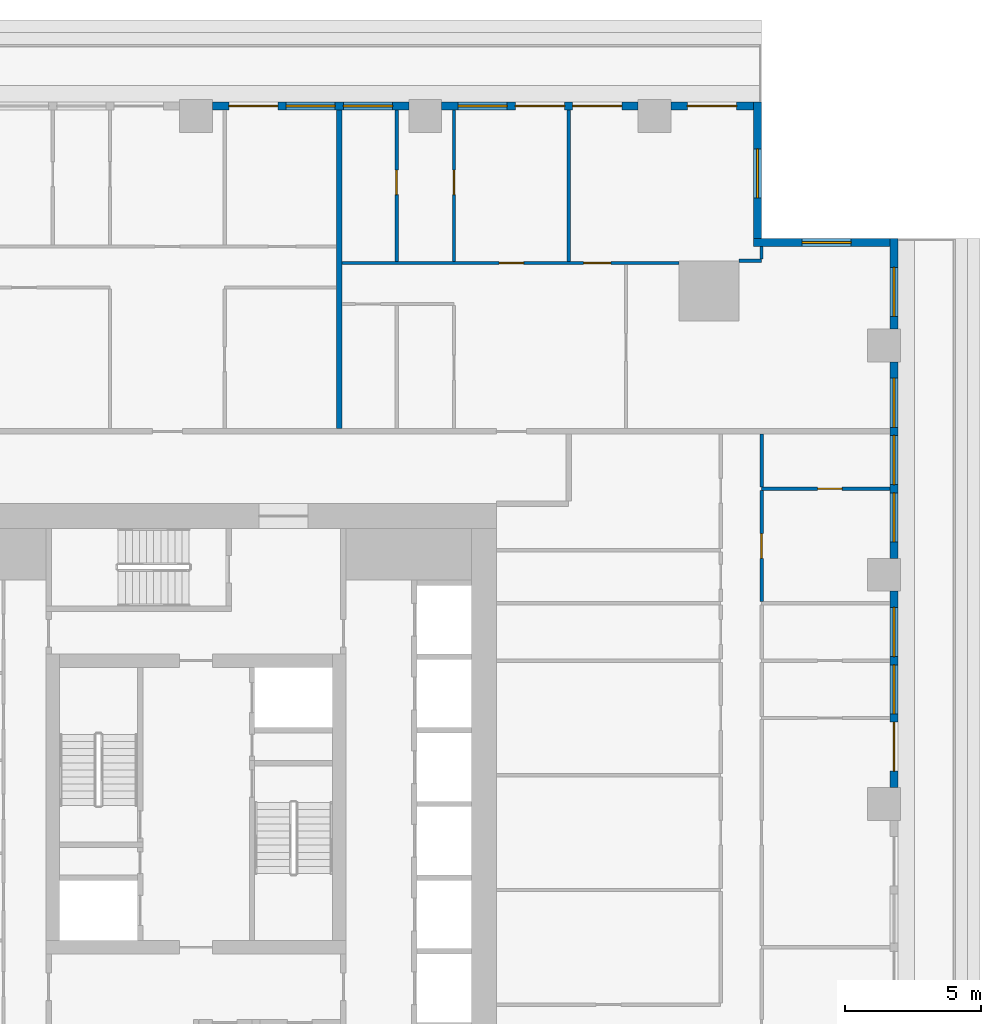
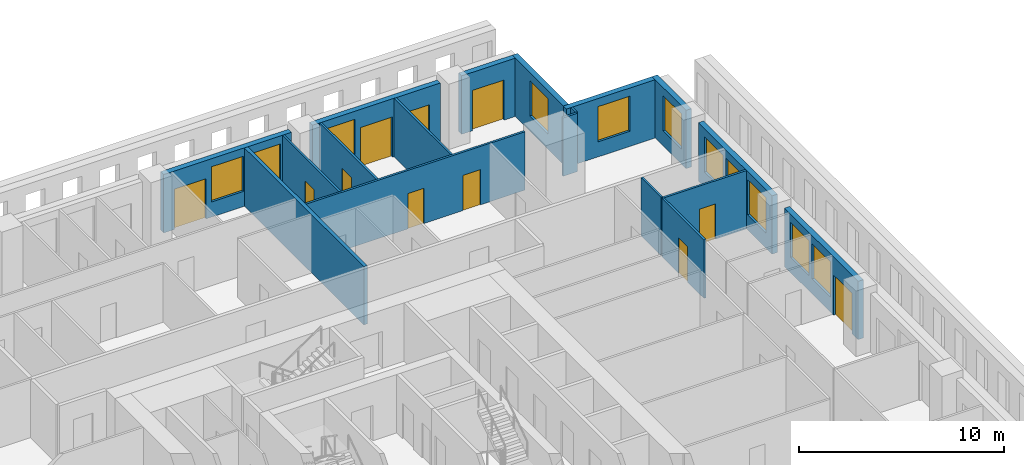
# One storey, part 9 of 15: 18 walls, 11 doors, 11 windows, 22 openings.
"""IFC4 building model written with IfcOpenShell, lengths in metres."""

from ifc_helpers import new_model, si_unit, direction, frame, frame_2d, origin, place, context, subcontext, project, spatial, rectangle, extrude, material, layer, layer_set, type_object, element, fill, save


model = new_model("IFC4")

# Units and contexts
model_context = context("Model", 3, precision=1e-05, world=origin(), true_north=direction((0.0, 1.0)))
body_context = subcontext(model_context, "Body", "Model", "MODEL_VIEW")
ifc_project = project(units=[si_unit("LENGTHUNIT", "METRE"), si_unit("AREAUNIT", "SQUARE_METRE"), si_unit("VOLUMEUNIT", "CUBIC_METRE"), si_unit("PLANEANGLEUNIT", "RADIAN"), si_unit("MASSUNIT", "GRAM", prefix="KILO")], contexts=[model_context])

# Site, building, storey
site_placement = place(None, origin())
site = spatial("IfcSite", under=ifc_project, at=site_placement, CompositionType="ELEMENT")
building_placement = place(site_placement, origin())
building = spatial("IfcBuilding", under=site, at=building_placement, Name="Khepri Terraces", CompositionType="ELEMENT")
storey_placement = place(building_placement, frame((0.0, 0.0, 248.39990234375)))
storey = spatial("IfcBuildingStorey", under=building, at=storey_placement, Name="L59", CompositionType="ELEMENT", Elevation=248.39990234375)

# Wall
ifc_material_1 = material(Name="Fire-rated gypsum plasterboard partition, mineral wool")
ifc_layer_1 = layer(ifc_material_1, 0.199951171875, Name="Fire-rated gypsum plasterboard partition, mineral wool")
ifc_layer_set_1 = layer_set([ifc_layer_1], Name="Fire-rated gypsum plasterboard partition, mineral wool")
wall_type_1 = type_object("IfcWallType", Name="WL-CORR-200", PredefinedType="PARTITIONING", material=ifc_layer_set_1)
wall_1_placement = place(storey_placement, frame((5.25, 13.75, 0.0), z_axis=(0.0, 0.0, 1.0), x_axis=(0.0, 1.0, 0.0)))
element("IfcWall", 1, at=wall_1_placement, inside=storey, type_object=wall_type_1, Name="Partition P-089 L59", PredefinedType="PARTITIONING", context=body_context, shape_type="SweptSolid", body=[
    extrude(rectangle(XDim=11.669921875, YDim=0.199951171875, at=frame_2d((5.8349609375, 0.0))), origin(), (0.0, 0.0, 1.0), 3.47998046875),
])

# Wall, openings, door, windows
ifc_material_2 = material(Name="Precast concrete C50/60 warm stone", Category="masonry")
ifc_layer_2 = layer(ifc_material_2, 0.300048828125, Name="Precast concrete C50/60 warm stone", Category="masonry")
ifc_layer_set_2 = layer_set([ifc_layer_2], Name="Precast concrete C50/60 warm stone")
wall_type_2 = type_object("IfcWallType", Name="WL-EXT-PRECAST-300", PredefinedType="STANDARD", material=ifc_layer_set_2)
wall_2_placement = place(storey_placement, frame((25.570068359375, 0.60009765625, 0.0), z_axis=(0.0, 0.0, 1.0), x_axis=(0.0, 1.0, 0.0)))
wall_2 = element("IfcWall", 2, at=wall_2_placement, inside=storey, type_object=wall_type_2, Name="External wall L59 E", PredefinedType="STANDARD", context=body_context, shape_type="SweptSolid", body=[
    extrude(rectangle(XDim=7.199951171875, YDim=0.300048828125, at=frame_2d((3.60009765625, 0.0))), origin(), (0.0, 0.0, 1.0), 3.47998046875),
])
opening_1_placement = place(wall_2_placement, frame((0.60009765625, 0.0, 0.0)))
opening_1 = element("IfcOpeningElement", 3, at=opening_1_placement, cuts=wall_2, Name="Opening ED-L59-06", PredefinedType="OPENING", context=body_context, shape_type="SweptSolid", body=[
    extrude(rectangle(XDim=1.800048828125, YDim=2.39990234375, at=frame_2d((0.89990234375, 1.199951171875))), frame((0.0, 0.16015625, 0.0), z_axis=(0.0, -1.0, 0.0), x_axis=(1.0, 0.0, 0.0)), (0.0, 0.0, 1.0), 0.320068359375),
])
opening_2_placement = place(wall_2_placement, frame((2.699951171875, 0.0, 0.89990234375)))
opening_2 = element("IfcOpeningElement", 4, at=opening_2_placement, cuts=wall_2, Name="Opening W1", PredefinedType="OPENING", context=body_context, shape_type="SweptSolid", body=[
    extrude(rectangle(XDim=1.800048828125, YDim=2.10009765625, at=frame_2d((0.89990234375, 1.050048828125))), frame((0.0, 0.16015625, 0.0), z_axis=(0.0, -1.0, 0.0), x_axis=(1.0, 0.0, 0.0)), (0.0, 0.0, 1.0), 0.320068359375),
])
opening_3_placement = place(wall_2_placement, frame((4.800048828125, 0.0, 0.89990234375)))
opening_3 = element("IfcOpeningElement", 5, at=opening_3_placement, cuts=wall_2, Name="Opening W1", PredefinedType="OPENING", context=body_context, shape_type="SweptSolid", body=[
    extrude(rectangle(XDim=1.800048828125, YDim=2.10009765625, at=frame_2d((0.89990234375, 1.050048828125))), frame((0.0, 0.16015625, 0.0), z_axis=(0.0, -1.0, 0.0), x_axis=(1.0, 0.0, 0.0)), (0.0, 0.0, 1.0), 0.320068359375),
])
ifc_material_3 = material(Name="Anodised aluminium bronze glazed door", Category="aluminium")
door_type_1 = type_object("IfcDoorType", Name="DR-BAL-SLIDE-1800x2400", OperationType="NOTDEFINED", PredefinedType="DOOR", material=ifc_material_3)
door_1_placement = place(opening_1_placement, origin())
door_1 = element("IfcDoor", 6, at=door_1_placement, inside=storey, type_object=door_type_1, Name="Balcony door L59 E", OperationType="SLIDING_TO_LEFT", OverallHeight=2.39990234375, OverallWidth=1.800048828125, PredefinedType="DOOR", context=body_context, shape_type="SweptSolid", body=[
    extrude(rectangle(XDim=1.800048828125, YDim=2.39990234375, at=frame_2d((0.89990234375, 1.199951171875))), frame((0.0, 0.02490234375, 0.0), z_axis=(0.0, -1.0, 0.0), x_axis=(1.0, 0.0, 0.0)), (0.0, 0.0, 1.0), 0.050048828125),
])
fill(opening_1, door_1)
ifc_material_4 = material(Name="Clear glass", Category="glass")
window_type = type_object("IfcWindowType", Name="WIN-RES-1800x2100", PartitioningType="SINGLE_PANEL", PredefinedType="WINDOW", material=ifc_material_4)
window_1_placement = place(opening_2_placement, origin())
window_1 = element("IfcWindow", 7, at=window_1_placement, inside=storey, type_object=window_type, Name="Window L59 E", OverallHeight=2.10009765625, OverallWidth=1.800048828125, PartitioningType="SINGLE_PANEL", PredefinedType="WINDOW", context=body_context, shape_type="SweptSolid", body=[
    extrude(rectangle(XDim=1.800048828125, YDim=2.10009765625, at=frame_2d((0.89990234375, 1.050048828125))), frame((0.0, 0.030029296875, 0.0), z_axis=(0.0, -1.0, 0.0), x_axis=(1.0, 0.0, 0.0)), (0.0, 0.0, 1.0), 0.06005859375),
])
fill(opening_2, window_1)
window_2_placement = place(opening_3_placement, origin())
window_2 = element("IfcWindow", 8, at=window_2_placement, inside=storey, type_object=window_type, Name="Window L59 E", OverallHeight=2.10009765625, OverallWidth=1.800048828125, PartitioningType="SINGLE_PANEL", PredefinedType="WINDOW", context=body_context, shape_type="SweptSolid", body=[
    extrude(rectangle(XDim=1.800048828125, YDim=2.10009765625, at=frame_2d((0.89990234375, 1.050048828125))), frame((0.0, 0.030029296875, 0.0), z_axis=(0.0, -1.0, 0.0), x_axis=(1.0, 0.0, 0.0)), (0.0, 0.0, 1.0), 0.06005859375),
])
fill(opening_3, window_2)

# Wall, openings, windows
wall_3_placement = place(storey_placement, frame((25.570068359375, 9.0, 0.0), z_axis=(0.0, 0.0, 1.0), x_axis=(0.0, 1.0, 0.0)))
wall_3 = element("IfcWall", 9, at=wall_3_placement, inside=storey, type_object=wall_type_2, Name="External wall L59 E", PredefinedType="STANDARD", context=body_context, shape_type="SweptSolid", body=[
    extrude(rectangle(XDim=7.199951171875, YDim=0.300048828125, at=frame_2d((3.60009765625, 0.0))), origin(), (0.0, 0.0, 1.0), 3.47998046875),
])
opening_4_placement = place(wall_3_placement, frame((0.60009765625, 0.0, 0.89990234375)))
opening_4 = element("IfcOpeningElement", 10, at=opening_4_placement, cuts=wall_3, Name="Opening W1", PredefinedType="OPENING", context=body_context, shape_type="SweptSolid", body=[
    extrude(rectangle(XDim=1.800048828125, YDim=2.10009765625, at=frame_2d((0.89990234375, 1.050048828125))), frame((0.0, 0.16015625, 0.0), z_axis=(0.0, -1.0, 0.0), x_axis=(1.0, 0.0, 0.0)), (0.0, 0.0, 1.0), 0.320068359375),
])
opening_5_placement = place(wall_3_placement, frame((2.699951171875, 0.0, 0.89990234375)))
opening_5 = element("IfcOpeningElement", 11, at=opening_5_placement, cuts=wall_3, Name="Opening W1", PredefinedType="OPENING", context=body_context, shape_type="SweptSolid", body=[
    extrude(rectangle(XDim=1.800048828125, YDim=2.10009765625, at=frame_2d((0.89990234375, 1.050048828125))), frame((0.0, 0.16015625, 0.0), z_axis=(0.0, -1.0, 0.0), x_axis=(1.0, 0.0, 0.0)), (0.0, 0.0, 1.0), 0.320068359375),
])
opening_6_placement = place(wall_3_placement, frame((4.800048828125, 0.0, 0.89990234375)))
opening_6 = element("IfcOpeningElement", 12, at=opening_6_placement, cuts=wall_3, Name="Opening W1", PredefinedType="OPENING", context=body_context, shape_type="SweptSolid", body=[
    extrude(rectangle(XDim=1.800048828125, YDim=2.10009765625, at=frame_2d((0.89990234375, 1.050048828125))), frame((0.0, 0.16015625, 0.0), z_axis=(0.0, -1.0, 0.0), x_axis=(1.0, 0.0, 0.0)), (0.0, 0.0, 1.0), 0.320068359375),
])
window_3_placement = place(opening_4_placement, origin())
window_3 = element("IfcWindow", 13, at=window_3_placement, inside=storey, type_object=window_type, Name="Window L59 E", OverallHeight=2.10009765625, OverallWidth=1.800048828125, PartitioningType="SINGLE_PANEL", PredefinedType="WINDOW", context=body_context, shape_type="SweptSolid", body=[
    extrude(rectangle(XDim=1.800048828125, YDim=2.10009765625, at=frame_2d((0.89990234375, 1.050048828125))), frame((0.0, 0.030029296875, 0.0), z_axis=(0.0, -1.0, 0.0), x_axis=(1.0, 0.0, 0.0)), (0.0, 0.0, 1.0), 0.06005859375),
])
fill(opening_4, window_3)
window_4_placement = place(opening_5_placement, origin())
window_4 = element("IfcWindow", 14, at=window_4_placement, inside=storey, type_object=window_type, Name="Window L59 E", OverallHeight=2.10009765625, OverallWidth=1.800048828125, PartitioningType="SINGLE_PANEL", PredefinedType="WINDOW", context=body_context, shape_type="SweptSolid", body=[
    extrude(rectangle(XDim=1.800048828125, YDim=2.10009765625, at=frame_2d((0.89990234375, 1.050048828125))), frame((0.0, 0.030029296875, 0.0), z_axis=(0.0, -1.0, 0.0), x_axis=(1.0, 0.0, 0.0)), (0.0, 0.0, 1.0), 0.06005859375),
])
fill(opening_5, window_4)
window_5_placement = place(opening_6_placement, origin())
window_5 = element("IfcWindow", 15, at=window_5_placement, inside=storey, type_object=window_type, Name="Window L59 E", OverallHeight=2.10009765625, OverallWidth=1.800048828125, PartitioningType="SINGLE_PANEL", PredefinedType="WINDOW", context=body_context, shape_type="SweptSolid", body=[
    extrude(rectangle(XDim=1.800048828125, YDim=2.10009765625, at=frame_2d((0.89990234375, 1.050048828125))), frame((0.0, 0.030029296875, 0.0), z_axis=(0.0, -1.0, 0.0), x_axis=(1.0, 0.0, 0.0)), (0.0, 0.0, 1.0), 0.06005859375),
])
fill(opening_6, window_5)

# Wall, opening, window
wall_4_placement = place(storey_placement, frame((25.570068359375, 17.39990234375, 0.0), z_axis=(0.0, 0.0, 1.0), x_axis=(0.0, 1.0, 0.0)))
wall_4 = element("IfcWall", 16, at=wall_4_placement, inside=storey, type_object=wall_type_2, Name="External wall L59 E", PredefinedType="STANDARD", context=body_context, shape_type="SweptSolid", body=[
    extrude(rectangle(XDim=3.320068359375, YDim=0.300048828125, at=frame_2d((1.66015625, 0.0))), origin(), (0.0, 0.0, 1.0), 3.47998046875),
])
opening_7_placement = place(wall_4_placement, frame((0.45947265625, 0.0, 0.89990234375)))
opening_7 = element("IfcOpeningElement", 17, at=opening_7_placement, cuts=wall_4, Name="Opening W1", PredefinedType="OPENING", context=body_context, shape_type="SweptSolid", body=[
    extrude(rectangle(XDim=1.800048828125, YDim=2.10009765625, at=frame_2d((0.89990234375, 1.050048828125))), frame((0.0, 0.16015625, 0.0), z_axis=(0.0, -1.0, 0.0), x_axis=(1.0, 0.0, 0.0)), (0.0, 0.0, 1.0), 0.320068359375),
])
window_6_placement = place(opening_7_placement, origin())
window_6 = element("IfcWindow", 18, at=window_6_placement, inside=storey, type_object=window_type, Name="Window L59 E", OverallHeight=2.10009765625, OverallWidth=1.800048828125, PartitioningType="SINGLE_PANEL", PredefinedType="WINDOW", context=body_context, shape_type="SweptSolid", body=[
    extrude(rectangle(XDim=1.800048828125, YDim=2.10009765625, at=frame_2d((0.89990234375, 1.050048828125))), frame((0.0, 0.030029296875, 0.0), z_axis=(0.0, -1.0, 0.0), x_axis=(1.0, 0.0, 0.0)), (0.0, 0.0, 1.0), 0.06005859375),
])
fill(opening_7, window_6)

wall_5_placement = place(storey_placement, frame((25.419921875, 20.570068359375, 0.0), z_axis=(0.0, 0.0, 1.0), x_axis=(-1.0, 0.0, 0.0)))
wall_5 = element("IfcWall", 19, at=wall_5_placement, inside=storey, type_object=wall_type_2, Name="External wall L59 N", PredefinedType="STANDARD", context=body_context, shape_type="SweptSolid", body=[
    extrude(rectangle(XDim=5.0, YDim=0.300048828125, at=frame_2d((2.5, 0.0))), origin(), (0.0, 0.0, 1.0), 3.47998046875),
])
opening_8_placement = place(wall_5_placement, frame((1.419921875, 0.0, 0.89990234375)))
opening_8 = element("IfcOpeningElement", 20, at=opening_8_placement, cuts=wall_5, Name="Opening W1", PredefinedType="OPENING", context=body_context, shape_type="SweptSolid", body=[
    extrude(rectangle(XDim=1.800048828125, YDim=2.10009765625, at=frame_2d((0.89990234375, 1.050048828125))), frame((0.0, 0.16015625, 0.0), z_axis=(0.0, -1.0, 0.0), x_axis=(1.0, 0.0, 0.0)), (0.0, 0.0, 1.0), 0.320068359375),
])
window_7_placement = place(opening_8_placement, origin())
window_7 = element("IfcWindow", 21, at=window_7_placement, inside=storey, type_object=window_type, Name="Window L59 N", OverallHeight=2.10009765625, OverallWidth=1.800048828125, PartitioningType="SINGLE_PANEL", PredefinedType="WINDOW", context=body_context, shape_type="SweptSolid", body=[
    extrude(rectangle(XDim=1.800048828125, YDim=2.10009765625, at=frame_2d((0.89990234375, 1.050048828125))), frame((0.0, 0.030029296875, 0.0), z_axis=(0.0, -1.0, 0.0), x_axis=(1.0, 0.0, 0.0)), (0.0, 0.0, 1.0), 0.06005859375),
])
fill(opening_8, window_7)

wall_6_placement = place(storey_placement, frame((20.570068359375, 20.719970703125, 0.0), z_axis=(0.0, 0.0, 1.0), x_axis=(0.0, 1.0, 0.0)))
wall_6 = element("IfcWall", 22, at=wall_6_placement, inside=storey, type_object=wall_type_2, Name="External wall L59 E", PredefinedType="STANDARD", context=body_context, shape_type="SweptSolid", body=[
    extrude(rectangle(XDim=5.0, YDim=0.300048828125, at=frame_2d((2.5, 0.0))), origin(), (0.0, 0.0, 1.0), 3.47998046875),
])
opening_9_placement = place(wall_6_placement, frame((1.47998046875, 0.0, 0.89990234375)))
opening_9 = element("IfcOpeningElement", 23, at=opening_9_placement, cuts=wall_6, Name="Opening W1", PredefinedType="OPENING", context=body_context, shape_type="SweptSolid", body=[
    extrude(rectangle(XDim=1.800048828125, YDim=2.10009765625, at=frame_2d((0.89990234375, 1.050048828125))), frame((0.0, 0.16015625, 0.0), z_axis=(0.0, -1.0, 0.0), x_axis=(1.0, 0.0, 0.0)), (0.0, 0.0, 1.0), 0.320068359375),
])
window_8_placement = place(opening_9_placement, origin())
window_8 = element("IfcWindow", 24, at=window_8_placement, inside=storey, type_object=window_type, Name="Window L59 E", OverallHeight=2.10009765625, OverallWidth=1.800048828125, PartitioningType="SINGLE_PANEL", PredefinedType="WINDOW", context=body_context, shape_type="SweptSolid", body=[
    extrude(rectangle(XDim=1.800048828125, YDim=2.10009765625, at=frame_2d((0.89990234375, 1.050048828125))), frame((0.0, 0.030029296875, 0.0), z_axis=(0.0, -1.0, 0.0), x_axis=(1.0, 0.0, 0.0)), (0.0, 0.0, 1.0), 0.06005859375),
])
fill(opening_9, window_8)

# Wall, opening, door
wall_7_placement = place(storey_placement, frame((20.419921875, 25.570068359375, 0.0), z_axis=(0.0, 0.0, 1.0), x_axis=(-1.0, 0.0, 0.0)))
wall_7 = element("IfcWall", 25, at=wall_7_placement, inside=storey, type_object=wall_type_2, Name="External wall L59 N", PredefinedType="STANDARD", context=body_context, shape_type="SweptSolid", body=[
    extrude(rectangle(XDim=3.02001953125, YDim=0.300048828125, at=frame_2d((1.510009765625, 0.0))), origin(), (0.0, 0.0, 1.0), 3.47998046875),
])
opening_10_placement = place(wall_7_placement, frame((0.6201171875, 0.0, 0.0)))
opening_10 = element("IfcOpeningElement", 26, at=opening_10_placement, cuts=wall_7, Name="Opening ED-L59-07", PredefinedType="OPENING", context=body_context, shape_type="SweptSolid", body=[
    extrude(rectangle(XDim=1.800048828125, YDim=2.39990234375, at=frame_2d((0.89990234375, 1.199951171875))), frame((0.0, 0.16015625, 0.0), z_axis=(0.0, -1.0, 0.0), x_axis=(1.0, 0.0, 0.0)), (0.0, 0.0, 1.0), 0.320068359375),
])
door_2_placement = place(opening_10_placement, origin())
door_2 = element("IfcDoor", 27, at=door_2_placement, inside=storey, type_object=door_type_1, Name="Balcony door L59 N", OperationType="SLIDING_TO_RIGHT", OverallHeight=2.39990234375, OverallWidth=1.800048828125, PredefinedType="DOOR", context=body_context, shape_type="SweptSolid", body=[
    extrude(rectangle(XDim=1.800048828125, YDim=2.39990234375, at=frame_2d((0.89990234375, 1.199951171875))), frame((0.0, 0.02490234375, 0.0), z_axis=(0.0, -1.0, 0.0), x_axis=(1.0, 0.0, 0.0)), (0.0, 0.0, 1.0), 0.050048828125),
])
fill(opening_10, door_2)

# Wall, openings, doors, window
wall_8_placement = place(storey_placement, frame((16.199951171875, 25.570068359375, 0.0), z_axis=(0.0, 0.0, 1.0), x_axis=(-1.0, 0.0, 0.0)))
wall_8 = element("IfcWall", 28, at=wall_8_placement, inside=storey, type_object=wall_type_2, Name="External wall L59 N", PredefinedType="STANDARD", context=body_context, shape_type="SweptSolid", body=[
    extrude(rectangle(XDim=7.199951171875, YDim=0.300048828125, at=frame_2d((3.60009765625, 0.0))), origin(), (0.0, 0.0, 1.0), 3.47998046875),
])
opening_11_placement = place(wall_8_placement, frame((0.60009765625, 0.0, 0.0)))
opening_11 = element("IfcOpeningElement", 29, at=opening_11_placement, cuts=wall_8, Name="Opening ED-L59-08", PredefinedType="OPENING", context=body_context, shape_type="SweptSolid", body=[
    extrude(rectangle(XDim=1.800048828125, YDim=2.39990234375, at=frame_2d((0.89990234375, 1.199951171875))), frame((0.0, 0.16015625, 0.0), z_axis=(0.0, -1.0, 0.0), x_axis=(1.0, 0.0, 0.0)), (0.0, 0.0, 1.0), 0.320068359375),
])
opening_12_placement = place(wall_8_placement, frame((2.699951171875, 0.0, 0.0)))
opening_12 = element("IfcOpeningElement", 30, at=opening_12_placement, cuts=wall_8, Name="Opening ED-L59-09", PredefinedType="OPENING", context=body_context, shape_type="SweptSolid", body=[
    extrude(rectangle(XDim=1.800048828125, YDim=2.39990234375, at=frame_2d((0.89990234375, 1.199951171875))), frame((0.0, 0.16015625, 0.0), z_axis=(0.0, -1.0, 0.0), x_axis=(1.0, 0.0, 0.0)), (0.0, 0.0, 1.0), 0.320068359375),
])
opening_13_placement = place(wall_8_placement, frame((4.800048828125, 0.0, 0.89990234375)))
opening_13 = element("IfcOpeningElement", 31, at=opening_13_placement, cuts=wall_8, Name="Opening W1", PredefinedType="OPENING", context=body_context, shape_type="SweptSolid", body=[
    extrude(rectangle(XDim=1.800048828125, YDim=2.10009765625, at=frame_2d((0.89990234375, 1.050048828125))), frame((0.0, 0.16015625, 0.0), z_axis=(0.0, -1.0, 0.0), x_axis=(1.0, 0.0, 0.0)), (0.0, 0.0, 1.0), 0.320068359375),
])
door_3_placement = place(opening_11_placement, origin())
door_3 = element("IfcDoor", 32, at=door_3_placement, inside=storey, type_object=door_type_1, Name="Balcony door L59 N", OperationType="SLIDING_TO_LEFT", OverallHeight=2.39990234375, OverallWidth=1.800048828125, PredefinedType="DOOR", context=body_context, shape_type="SweptSolid", body=[
    extrude(rectangle(XDim=1.800048828125, YDim=2.39990234375, at=frame_2d((0.89990234375, 1.199951171875))), frame((0.0, 0.02490234375, 0.0), z_axis=(0.0, -1.0, 0.0), x_axis=(1.0, 0.0, 0.0)), (0.0, 0.0, 1.0), 0.050048828125),
])
fill(opening_11, door_3)
door_4_placement = place(opening_12_placement, origin())
door_4 = element("IfcDoor", 33, at=door_4_placement, inside=storey, type_object=door_type_1, Name="Balcony door L59 N", OperationType="SLIDING_TO_RIGHT", OverallHeight=2.39990234375, OverallWidth=1.800048828125, PredefinedType="DOOR", context=body_context, shape_type="SweptSolid", body=[
    extrude(rectangle(XDim=1.800048828125, YDim=2.39990234375, at=frame_2d((0.89990234375, 1.199951171875))), frame((0.0, 0.02490234375, 0.0), z_axis=(0.0, -1.0, 0.0), x_axis=(1.0, 0.0, 0.0)), (0.0, 0.0, 1.0), 0.050048828125),
])
fill(opening_12, door_4)
window_9_placement = place(opening_13_placement, origin())
window_9 = element("IfcWindow", 34, at=window_9_placement, inside=storey, type_object=window_type, Name="Window L59 N", OverallHeight=2.10009765625, OverallWidth=1.800048828125, PartitioningType="SINGLE_PANEL", PredefinedType="WINDOW", context=body_context, shape_type="SweptSolid", body=[
    extrude(rectangle(XDim=1.800048828125, YDim=2.10009765625, at=frame_2d((0.89990234375, 1.050048828125))), frame((0.0, 0.030029296875, 0.0), z_axis=(0.0, -1.0, 0.0), x_axis=(1.0, 0.0, 0.0)), (0.0, 0.0, 1.0), 0.06005859375),
])
fill(opening_13, window_9)

# Wall, openings, door, windows
wall_9_placement = place(storey_placement, frame((7.800048828125, 25.570068359375, 0.0), z_axis=(0.0, 0.0, 1.0), x_axis=(-1.0, 0.0, 0.0)))
wall_9 = element("IfcWall", 35, at=wall_9_placement, inside=storey, type_object=wall_type_2, Name="External wall L59 N", PredefinedType="STANDARD", context=body_context, shape_type="SweptSolid", body=[
    extrude(rectangle(XDim=7.199951171875, YDim=0.300048828125, at=frame_2d((3.60009765625, 0.0))), origin(), (0.0, 0.0, 1.0), 3.47998046875),
])
opening_14_placement = place(wall_9_placement, frame((0.60009765625, 0.0, 0.89990234375)))
opening_14 = element("IfcOpeningElement", 36, at=opening_14_placement, cuts=wall_9, Name="Opening W1", PredefinedType="OPENING", context=body_context, shape_type="SweptSolid", body=[
    extrude(rectangle(XDim=1.800048828125, YDim=2.10009765625, at=frame_2d((0.89990234375, 1.050048828125))), frame((0.0, 0.16015625, 0.0), z_axis=(0.0, -1.0, 0.0), x_axis=(1.0, 0.0, 0.0)), (0.0, 0.0, 1.0), 0.320068359375),
])
opening_15_placement = place(wall_9_placement, frame((2.699951171875, 0.0, 0.89990234375)))
opening_15 = element("IfcOpeningElement", 37, at=opening_15_placement, cuts=wall_9, Name="Opening W1", PredefinedType="OPENING", context=body_context, shape_type="SweptSolid", body=[
    extrude(rectangle(XDim=1.800048828125, YDim=2.10009765625, at=frame_2d((0.89990234375, 1.050048828125))), frame((0.0, 0.16015625, 0.0), z_axis=(0.0, -1.0, 0.0), x_axis=(1.0, 0.0, 0.0)), (0.0, 0.0, 1.0), 0.320068359375),
])
opening_16_placement = place(wall_9_placement, frame((4.800048828125, 0.0, 0.0)))
opening_16 = element("IfcOpeningElement", 38, at=opening_16_placement, cuts=wall_9, Name="Opening ED-L59-10", PredefinedType="OPENING", context=body_context, shape_type="SweptSolid", body=[
    extrude(rectangle(XDim=1.800048828125, YDim=2.39990234375, at=frame_2d((0.89990234375, 1.199951171875))), frame((0.0, 0.16015625, 0.0), z_axis=(0.0, -1.0, 0.0), x_axis=(1.0, 0.0, 0.0)), (0.0, 0.0, 1.0), 0.320068359375),
])
door_5_placement = place(opening_16_placement, origin())
door_5 = element("IfcDoor", 39, at=door_5_placement, inside=storey, type_object=door_type_1, Name="Balcony door L59 N", OperationType="SLIDING_TO_RIGHT", OverallHeight=2.39990234375, OverallWidth=1.800048828125, PredefinedType="DOOR", context=body_context, shape_type="SweptSolid", body=[
    extrude(rectangle(XDim=1.800048828125, YDim=2.39990234375, at=frame_2d((0.89990234375, 1.199951171875))), frame((0.0, 0.02490234375, 0.0), z_axis=(0.0, -1.0, 0.0), x_axis=(1.0, 0.0, 0.0)), (0.0, 0.0, 1.0), 0.050048828125),
])
fill(opening_16, door_5)
window_10_placement = place(opening_14_placement, origin())
window_10 = element("IfcWindow", 40, at=window_10_placement, inside=storey, type_object=window_type, Name="Window L59 N", OverallHeight=2.10009765625, OverallWidth=1.800048828125, PartitioningType="SINGLE_PANEL", PredefinedType="WINDOW", context=body_context, shape_type="SweptSolid", body=[
    extrude(rectangle(XDim=1.800048828125, YDim=2.10009765625, at=frame_2d((0.89990234375, 1.050048828125))), frame((0.0, 0.030029296875, 0.0), z_axis=(0.0, -1.0, 0.0), x_axis=(1.0, 0.0, 0.0)), (0.0, 0.0, 1.0), 0.06005859375),
])
fill(opening_14, window_10)
window_11_placement = place(opening_15_placement, origin())
window_11 = element("IfcWindow", 41, at=window_11_placement, inside=storey, type_object=window_type, Name="Window L59 N", OverallHeight=2.10009765625, OverallWidth=1.800048828125, PartitioningType="SINGLE_PANEL", PredefinedType="WINDOW", context=body_context, shape_type="SweptSolid", body=[
    extrude(rectangle(XDim=1.800048828125, YDim=2.10009765625, at=frame_2d((0.89990234375, 1.050048828125))), frame((0.0, 0.030029296875, 0.0), z_axis=(0.0, -1.0, 0.0), x_axis=(1.0, 0.0, 0.0)), (0.0, 0.0, 1.0), 0.06005859375),
])
fill(opening_15, window_11)

# Wall, opening, door
ifc_material_5 = material(Name="Gypsum plasterboard partition")
ifc_layer_3 = layer(ifc_material_5, 0.1201171875, Name="Gypsum plasterboard partition")
ifc_layer_set_3 = layer_set([ifc_layer_3], Name="Gypsum plasterboard partition")
wall_type_3 = type_object("IfcWallType", Name="WL-PART-120", PredefinedType="PARTITIONING", material=ifc_layer_set_3)
wall_10_placement = place(storey_placement, frame((20.719970703125, 7.409912109375, 0.0), z_axis=(0.0, 0.0, 1.0), x_axis=(0.0, 1.0, 0.0)))
wall_10 = element("IfcWall", 42, at=wall_10_placement, inside=storey, type_object=wall_type_3, Name="Partition P-070 L59", PredefinedType="PARTITIONING", context=body_context, shape_type="SweptSolid", body=[
    extrude(rectangle(XDim=4.080078125, YDim=0.1201171875, at=frame_2d((2.0400390625, 0.0))), origin(), (0.0, 0.0, 1.0), 3.47998046875),
])
opening_17_placement = place(wall_10_placement, frame((1.590087890625, 0.0, 0.0)))
opening_17 = element("IfcOpeningElement", 43, at=opening_17_placement, cuts=wall_10, Name="Opening D3", PredefinedType="OPENING", context=body_context, shape_type="SweptSolid", body=[
    extrude(rectangle(XDim=0.89990234375, YDim=2.10009765625, at=frame_2d((0.449951171875, 1.050048828125))), frame((0.0, 0.070068359375, 0.0), z_axis=(0.0, -1.0, 0.0), x_axis=(1.0, 0.0, 0.0)), (0.0, 0.0, 1.0), 0.14013671875),
])
ifc_material_6 = material(Name="Timber door leaf", Category="wood")
door_type_2 = type_object("IfcDoorType", Name="DR-INT-900", OperationType="NOTDEFINED", PredefinedType="DOOR", material=ifc_material_6)
door_6_placement = place(opening_17_placement, frame((0.89990234375, 0.0, 0.0), z_axis=(0.0, 0.0, 1.0), x_axis=(-1.0, 0.0, 0.0)))
door_6 = element("IfcDoor", 44, at=door_6_placement, inside=storey, type_object=door_type_2, Name="Door Bedroom", OperationType="SINGLE_SWING_RIGHT", OverallHeight=2.10009765625, OverallWidth=0.89990234375, PredefinedType="DOOR", context=body_context, shape_type="SweptSolid", body=[
    extrude(rectangle(XDim=0.89990234375, YDim=2.10009765625, at=frame_2d((0.449951171875, 1.050048828125))), frame((0.0, 0.02490234375, 0.0), z_axis=(0.0, -1.0, 0.0), x_axis=(1.0, 0.0, 0.0)), (0.0, 0.0, 1.0), 0.050048828125),
])
fill(opening_17, door_6)

wall_11_placement = place(storey_placement, frame((20.719970703125, 11.550048828125, 0.0), z_axis=(0.0, 0.0, 1.0), x_axis=(1.0, 0.0, 0.0)))
wall_11 = element("IfcWall", 45, at=wall_11_placement, inside=storey, type_object=wall_type_3, Name="Partition P-078 L59", PredefinedType="PARTITIONING", context=body_context, shape_type="SweptSolid", body=[
    extrude(rectangle(XDim=4.699951171875, YDim=0.1201171875, at=frame_2d((2.35009765625, 0.0))), origin(), (0.0, 0.0, 1.0), 3.47998046875),
])
opening_18_placement = place(wall_11_placement, frame((2.050048828125, 0.0, 0.0)))
opening_18 = element("IfcOpeningElement", 46, at=opening_18_placement, cuts=wall_11, Name="Opening D4", PredefinedType="OPENING", context=body_context, shape_type="SweptSolid", body=[
    extrude(rectangle(XDim=0.89990234375, YDim=2.10009765625, at=frame_2d((0.449951171875, 1.050048828125))), frame((0.0, 0.070068359375, 0.0), z_axis=(0.0, -1.0, 0.0), x_axis=(1.0, 0.0, 0.0)), (0.0, 0.0, 1.0), 0.14013671875),
])
ifc_material_7 = material(Name="Timber door leaf, moisture resistant", Category="wood")
door_type_3 = type_object("IfcDoorType", Name="DR-WET-900", OperationType="NOTDEFINED", PredefinedType="DOOR", material=ifc_material_7)
door_7_placement = place(opening_18_placement, origin())
door_7 = element("IfcDoor", 47, at=door_7_placement, inside=storey, type_object=door_type_3, Name="Door Bathroom", OperationType="SINGLE_SWING_RIGHT", OverallHeight=2.10009765625, OverallWidth=0.89990234375, PredefinedType="DOOR", context=body_context, shape_type="SweptSolid", body=[
    extrude(rectangle(XDim=0.89990234375, YDim=2.10009765625, at=frame_2d((0.449951171875, 1.050048828125))), frame((0.0, 0.02490234375, 0.0), z_axis=(0.0, -1.0, 0.0), x_axis=(1.0, 0.0, 0.0)), (0.0, 0.0, 1.0), 0.050048828125),
])
fill(opening_18, door_7)

# Wall
wall_12_placement = place(storey_placement, frame((20.719970703125, 11.610107421875, 0.0), z_axis=(0.0, 0.0, 1.0), x_axis=(0.0, 1.0, 0.0)))
element("IfcWall", 48, at=wall_12_placement, inside=storey, type_object=wall_type_3, Name="Partition P-080 L59", PredefinedType="PARTITIONING", context=body_context, shape_type="SweptSolid", body=[
    extrude(rectangle(XDim=1.93994140625, YDim=0.1201171875, at=frame_2d((0.969970703125, 0.0))), origin(), (0.0, 0.0, 1.0), 3.47998046875),
])

# Wall, openings, doors
wall_13_placement = place(storey_placement, frame((5.35009765625, 19.820068359375, 0.0), z_axis=(0.0, 0.0, 1.0), x_axis=(1.0, 0.0, 0.0)))
wall_13 = element("IfcWall", 49, at=wall_13_placement, inside=storey, type_object=wall_type_3, Name="Partition P-096 L59", PredefinedType="PARTITIONING", context=body_context, shape_type="SweptSolid", body=[
    extrude(rectangle(XDim=12.349853515625, YDim=0.1201171875, at=frame_2d((6.1748046875, 0.0))), origin(), (0.0, 0.0, 1.0), 3.47998046875),
])
opening_19_placement = place(wall_13_placement, frame((8.85009765625, 0.0, 0.0)))
opening_19 = element("IfcOpeningElement", 50, at=opening_19_placement, cuts=wall_13, Name="Opening D2", PredefinedType="OPENING", context=body_context, shape_type="SweptSolid", body=[
    extrude(rectangle(XDim=1.0, YDim=2.10009765625, at=frame_2d((0.5, 1.050048828125))), frame((0.0, 0.070068359375, 0.0), z_axis=(0.0, -1.0, 0.0), x_axis=(1.0, 0.0, 0.0)), (0.0, 0.0, 1.0), 0.14013671875),
])
opening_20_placement = place(wall_13_placement, frame((5.75, 0.0, 0.0)))
opening_20 = element("IfcOpeningElement", 51, at=opening_20_placement, cuts=wall_13, Name="Opening D3", PredefinedType="OPENING", context=body_context, shape_type="SweptSolid", body=[
    extrude(rectangle(XDim=0.89990234375, YDim=2.10009765625, at=frame_2d((0.449951171875, 1.050048828125))), frame((0.0, 0.070068359375, 0.0), z_axis=(0.0, -1.0, 0.0), x_axis=(1.0, 0.0, 0.0)), (0.0, 0.0, 1.0), 0.14013671875),
])
ifc_material_8 = material(Name="Timber door leaf, living room door", Category="wood")
door_type_4 = type_object("IfcDoorType", Name="DR-INT-1000", OperationType="NOTDEFINED", PredefinedType="DOOR", material=ifc_material_8)
door_8_placement = place(opening_19_placement, origin())
door_8 = element("IfcDoor", 52, at=door_8_placement, inside=storey, type_object=door_type_4, Name="Door Living Room", OperationType="SINGLE_SWING_RIGHT", OverallHeight=2.10009765625, OverallWidth=1.0, PredefinedType="DOOR", context=body_context, shape_type="SweptSolid", body=[
    extrude(rectangle(XDim=1.0, YDim=2.10009765625, at=frame_2d((0.5, 1.050048828125))), frame((0.0, 0.02490234375, 0.0), z_axis=(0.0, -1.0, 0.0), x_axis=(1.0, 0.0, 0.0)), (0.0, 0.0, 1.0), 0.050048828125),
])
fill(opening_19, door_8)
door_9_placement = place(opening_20_placement, origin())
door_9 = element("IfcDoor", 53, at=door_9_placement, inside=storey, type_object=door_type_2, Name="Door Master Bedroom", OperationType="SINGLE_SWING_RIGHT", OverallHeight=2.10009765625, OverallWidth=0.89990234375, PredefinedType="DOOR", context=body_context, shape_type="SweptSolid", body=[
    extrude(rectangle(XDim=0.89990234375, YDim=2.10009765625, at=frame_2d((0.449951171875, 1.050048828125))), frame((0.0, 0.02490234375, 0.0), z_axis=(0.0, -1.0, 0.0), x_axis=(1.0, 0.0, 0.0)), (0.0, 0.0, 1.0), 0.050048828125),
])
fill(opening_20, door_9)

# Wall, opening, door
wall_14_placement = place(storey_placement, frame((7.35009765625, 19.8798828125, 0.0), z_axis=(0.0, 0.0, 1.0), x_axis=(0.0, 1.0, 0.0)))
wall_14 = element("IfcWall", 54, at=wall_14_placement, inside=storey, type_object=wall_type_3, Name="Partition P-097 L59", PredefinedType="PARTITIONING", context=body_context, shape_type="SweptSolid", body=[
    extrude(rectangle(XDim=5.5400390625, YDim=0.1201171875, at=frame_2d((2.77001953125, 0.0))), origin(), (0.0, 0.0, 1.0), 3.47998046875),
])
opening_21_placement = place(wall_14_placement, frame((2.43994140625, 0.0, 0.0)))
opening_21 = element("IfcOpeningElement", 55, at=opening_21_placement, cuts=wall_14, Name="Opening D4", PredefinedType="OPENING", context=body_context, shape_type="SweptSolid", body=[
    extrude(rectangle(XDim=0.89990234375, YDim=2.10009765625, at=frame_2d((0.449951171875, 1.050048828125))), frame((0.0, 0.070068359375, 0.0), z_axis=(0.0, -1.0, 0.0), x_axis=(1.0, 0.0, 0.0)), (0.0, 0.0, 1.0), 0.14013671875),
])
door_10_placement = place(opening_21_placement, origin())
door_10 = element("IfcDoor", 56, at=door_10_placement, inside=storey, type_object=door_type_3, Name="Door Bathroom", OperationType="SINGLE_SWING_RIGHT", OverallHeight=2.10009765625, OverallWidth=0.89990234375, PredefinedType="DOOR", context=body_context, shape_type="SweptSolid", body=[
    extrude(rectangle(XDim=0.89990234375, YDim=2.10009765625, at=frame_2d((0.449951171875, 1.050048828125))), frame((0.0, 0.02490234375, 0.0), z_axis=(0.0, -1.0, 0.0), x_axis=(1.0, 0.0, 0.0)), (0.0, 0.0, 1.0), 0.050048828125),
])
fill(opening_21, door_10)

wall_15_placement = place(storey_placement, frame((9.449951171875, 19.8798828125, 0.0), z_axis=(0.0, 0.0, 1.0), x_axis=(0.0, 1.0, 0.0)))
wall_15 = element("IfcWall", 57, at=wall_15_placement, inside=storey, type_object=wall_type_3, Name="Partition P-098 L59", PredefinedType="PARTITIONING", context=body_context, shape_type="SweptSolid", body=[
    extrude(rectangle(XDim=5.5400390625, YDim=0.1201171875, at=frame_2d((2.77001953125, 0.0))), origin(), (0.0, 0.0, 1.0), 3.47998046875),
])
opening_22_placement = place(wall_15_placement, frame((2.43994140625, 0.0, 0.0)))
opening_22 = element("IfcOpeningElement", 58, at=opening_22_placement, cuts=wall_15, Name="Opening D3", PredefinedType="OPENING", context=body_context, shape_type="SweptSolid", body=[
    extrude(rectangle(XDim=0.89990234375, YDim=2.10009765625, at=frame_2d((0.449951171875, 1.050048828125))), frame((0.0, 0.070068359375, 0.0), z_axis=(0.0, -1.0, 0.0), x_axis=(1.0, 0.0, 0.0)), (0.0, 0.0, 1.0), 0.14013671875),
])
door_11_placement = place(opening_22_placement, origin())
door_11 = element("IfcDoor", 59, at=door_11_placement, inside=storey, type_object=door_type_2, Name="Door Dressing Room", OperationType="SINGLE_SWING_RIGHT", OverallHeight=2.10009765625, OverallWidth=0.89990234375, PredefinedType="DOOR", context=body_context, shape_type="SweptSolid", body=[
    extrude(rectangle(XDim=0.89990234375, YDim=2.10009765625, at=frame_2d((0.449951171875, 1.050048828125))), frame((0.0, 0.02490234375, 0.0), z_axis=(0.0, -1.0, 0.0), x_axis=(1.0, 0.0, 0.0)), (0.0, 0.0, 1.0), 0.050048828125),
])
fill(opening_22, door_11)

# Walls
wall_16_placement = place(storey_placement, frame((13.64990234375, 19.8798828125, 0.0), z_axis=(0.0, 0.0, 1.0), x_axis=(0.0, 1.0, 0.0)))
element("IfcWall", 60, at=wall_16_placement, inside=storey, type_object=wall_type_3, Name="Partition P-099 L59", PredefinedType="PARTITIONING", context=body_context, shape_type="SweptSolid", body=[
    extrude(rectangle(XDim=5.5400390625, YDim=0.1201171875, at=frame_2d((2.77001953125, 0.0))), origin(), (0.0, 0.0, 1.0), 3.47998046875),
])
wall_17_placement = place(storey_placement, frame((19.89990234375, 19.90087890625, 0.0), z_axis=(0.0, 0.0, 1.0), x_axis=(1.0, 0.0, 0.0)))
element("IfcWall", 61, at=wall_17_placement, inside=storey, type_object=wall_type_3, Name="Partition P-101 L59", PredefinedType="PARTITIONING", context=body_context, shape_type="SweptSolid", body=[
    extrude(rectangle(XDim=0.819091796875, YDim=0.1201171875, at=frame_2d((0.40966796875, 0.0))), origin(), (0.0, 0.0, 1.0), 3.47998046875),
])
wall_18_placement = place(storey_placement, frame((20.718994140625, 19.9609375, 0.0), z_axis=(0.0, 0.0, 1.0), x_axis=(0.0, 1.0, 0.0)))
element("IfcWall", 62, at=wall_18_placement, inside=storey, type_object=wall_type_3, Name="Partition P-102 L59", PredefinedType="PARTITIONING", context=body_context, shape_type="SweptSolid", body=[
    extrude(rectangle(XDim=0.4599609375, YDim=0.1201171875, at=frame_2d((0.22998046875, 0.0))), origin(), (0.0, 0.0, 1.0), 3.47998046875),
])

save(model, "model.ifc")
